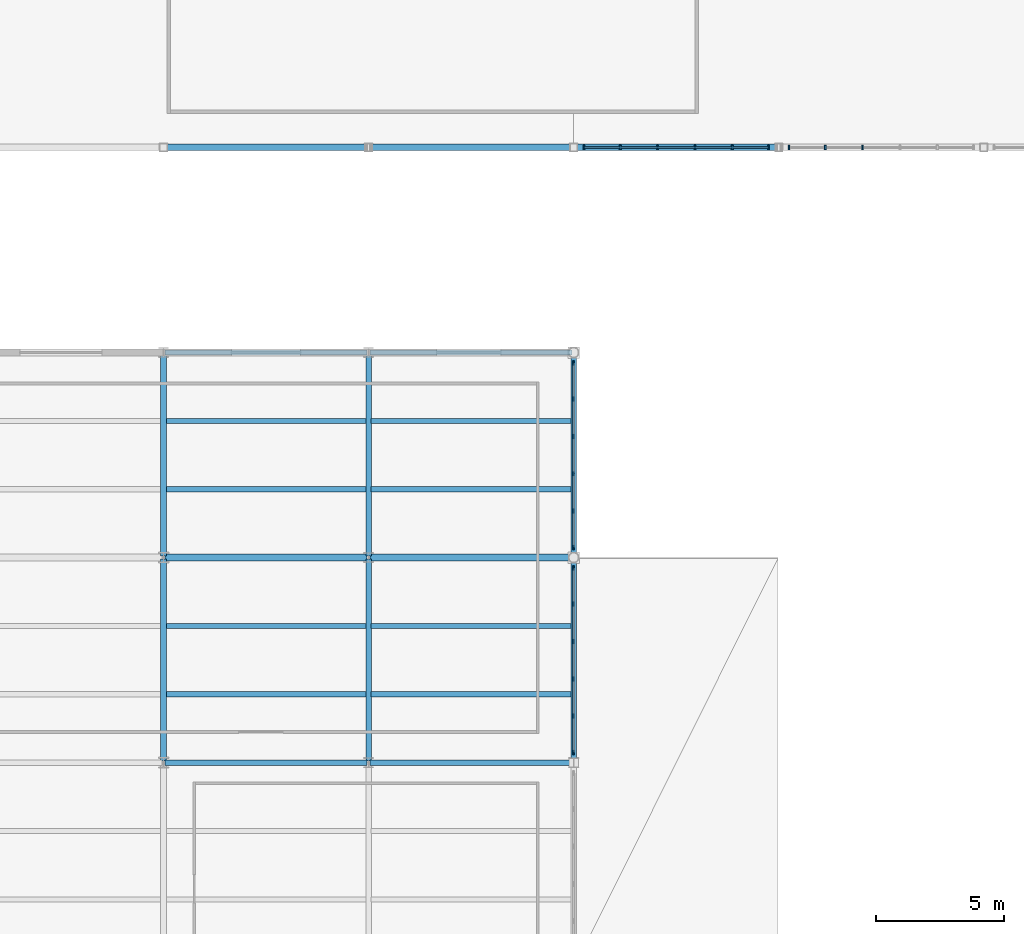
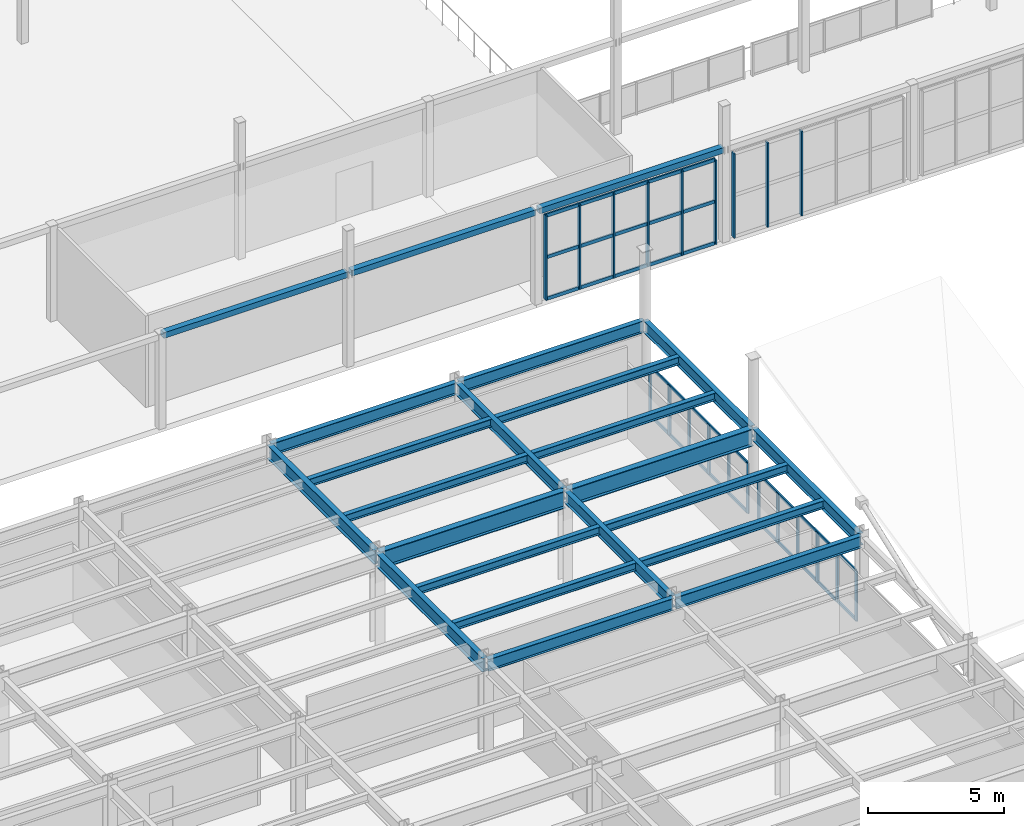
# One storey, part 20 of 83: 31 members, 20 beams, 4 elements without a shape of their own.
"""IFC4 building model written with IfcOpenShell, lengths in metres."""

from ifc_helpers import new_model, si_unit, direction, frame, origin, origin_2d, place, context, subcontext, project, spatial, rectangle, hollow_rectangle, i_section, extrude, material, material_profile, profile_set, type_object, element, aggregate, save


model = new_model("IFC4")

# Units and contexts
model_context = context("Model", 3, precision=1e-05, world=origin(), true_north=direction((0.0, 1.0)))
body_context = subcontext(model_context, "Body", "Model", "MODEL_VIEW")
ifc_project = project(units=[si_unit("LENGTHUNIT", "METRE"), si_unit("AREAUNIT", "SQUARE_METRE"), si_unit("VOLUMEUNIT", "CUBIC_METRE"), si_unit("PLANEANGLEUNIT", "RADIAN"), si_unit("MASSUNIT", "GRAM", prefix="KILO")], contexts=[model_context])

# Site, building, storey
site_placement = place(None, origin())
site = spatial("IfcSite", under=ifc_project, at=site_placement, CompositionType="ELEMENT")
building_placement = place(site_placement, origin())
building = spatial("IfcBuilding", under=site, at=building_placement, Name="Drelvath Fold Interchange", CompositionType="ELEMENT")
storey_placement = place(building_placement, frame((0.0, 0.0, 11.199951171875)))
storey = spatial("IfcBuildingStorey", under=building, at=storey_placement, Name="L02", CompositionType="ELEMENT", Elevation=11.199951171875)

# Beams
ifc_material_1 = material(Name="Steel ASTM A992 Grade 50", Category="steel")
ifc_material_profile_1 = material_profile(ifc_material_1, i_section(OverallWidth=0.205078125, OverallDepth=0.35400390625, WebThickness=0.009521484375, FlangeThickness=0.016845703125, at=origin_2d()), Name="W14X53")
ifc_profile_set_1 = profile_set([ifc_material_profile_1], Name="Steel ASTM A992 Grade 50")
beam_type_1 = type_object("IfcBeamType", Name="BM-W14X53", PredefinedType="JOIST", material=ifc_profile_set_1)
for number, where, z_axis, x_axis, name in (
    (1, (36.113037109375, 37.6669921875, 3.943115234375), (1.0, 0.0, 0.0), (0.0, 1.0, 0.0), "L02 Secondary floor joist BM-W14X53"),
    (2, (36.113037109375, 40.3330078125, 3.943115234375), (1.0, 0.0, 0.0), (0.0, 1.0, 0.0), "L02 Secondary floor joist BM-W14X53"),
    (3, (36.113037109375, 45.6669921875, 3.943115234375), (1.0, 0.0, 0.0), (0.0, 1.0, 0.0), "L02 Secondary floor joist BM-W14X53"),
    (4, (36.113037109375, 48.3330078125, 3.943115234375), (1.0, 0.0, 0.0), (0.0, 1.0, 0.0), "L02 Secondary floor joist BM-W14X53"),
):
    element("IfcBeam", number, at=place(storey_placement, frame(where, z_axis=z_axis, x_axis=x_axis)), inside=storey, type_object=beam_type_1, Name=name, PredefinedType="JOIST", context=body_context, shape_type="SweptSolid", body=[
        extrude(i_section(OverallWidth=0.205078125, OverallDepth=0.35400390625, WebThickness=0.009521484375, FlangeThickness=0.016845703125, at=origin_2d()), origin(), (0.0, 0.0, 1.0), 7.783935546875),
    ])
for number, where, z_axis, x_axis, name in (
    (5, (44.10302734375, 37.6669921875, 3.943115234375), (1.0, 0.0, 0.0), (0.0, 1.0, 0.0), "L02 Secondary floor joist BM-W14X53"),
    (6, (44.10302734375, 40.3330078125, 3.943115234375), (1.0, 0.0, 0.0), (0.0, 1.0, 0.0), "L02 Secondary floor joist BM-W14X53"),
    (7, (44.10302734375, 45.6669921875, 3.943115234375), (1.0, 0.0, 0.0), (0.0, 1.0, 0.0), "L02 Secondary floor joist BM-W14X53"),
    (8, (44.10302734375, 48.3330078125, 3.943115234375), (1.0, 0.0, 0.0), (0.0, 1.0, 0.0), "L02 Secondary floor joist BM-W14X53"),
):
    element("IfcBeam", number, at=place(storey_placement, frame(where, z_axis=z_axis, x_axis=x_axis)), inside=storey, type_object=beam_type_1, Name=name, PredefinedType="JOIST", context=body_context, shape_type="SweptSolid", body=[
        extrude(i_section(OverallWidth=0.205078125, OverallDepth=0.35400390625, WebThickness=0.009521484375, FlangeThickness=0.016845703125, at=origin_2d()), origin(), (0.0, 0.0, 1.0), 7.7939453125),
    ])
ifc_material_profile_2 = material_profile(ifc_material_1, i_section(OverallWidth=0.2099609375, OverallDepth=0.537109375, WebThickness=0.010986328125, FlangeThickness=0.017333984375, at=origin_2d()), Name="W21X68")
ifc_profile_set_2 = profile_set([ifc_material_profile_2], Name="Steel ASTM A992 Grade 50")
beam_type_2 = type_object("IfcBeamType", Name="BM-W21X68", PredefinedType="SPANDREL", material=ifc_profile_set_2)
for number, where, z_axis, x_axis, name in (
    (9, (36.06005859375, 35.0, 3.85205078125), (1.0, 0.0, 0.0), (0.0, 1.0, 0.0), "L02 Primary X girder BM-W21X68"),
    (10, (44.06005859375, 35.0, 3.85205078125), (1.0, 0.0, 0.0), (0.0, 1.0, 0.0), "L02 Primary X girder BM-W21X68"),
    (11, (36.06005859375, 51.0, 3.85205078125), (1.0, 0.0, 0.0), (0.0, 1.0, 0.0), "L02 Primary X girder BM-W21X68"),
    (12, (44.06005859375, 51.0, 3.85205078125), (1.0, 0.0, 0.0), (0.0, 1.0, 0.0), "L02 Primary X girder BM-W21X68"),
    (13, (44.0, 35.06005859375, 3.85205078125), (0.0, 1.0, 0.0), (-1.0, 0.0, 0.0), "L02 Primary Y girder BM-W21X68"),
    (14, (44.0, 43.06005859375, 3.85205078125), (0.0, 1.0, 0.0), (-1.0, 0.0, 0.0), "L02 Primary Y girder BM-W21X68"),
    (15, (52.0, 35.06005859375, 3.85205078125), (0.0, 1.0, 0.0), (-1.0, 0.0, 0.0), "L02 Primary Y girder BM-W21X68"),
    (16, (52.0, 43.06005859375, 3.85205078125), (0.0, 1.0, 0.0), (-1.0, 0.0, 0.0), "L02 Primary Y girder BM-W21X68"),
):
    element("IfcBeam", number, at=place(storey_placement, frame(where, z_axis=z_axis, x_axis=x_axis)), inside=storey, type_object=beam_type_2, Name=name, PredefinedType="SPANDREL", context=body_context, shape_type="SweptSolid", body=[
        extrude(i_section(OverallWidth=0.2099609375, OverallDepth=0.537109375, WebThickness=0.010986328125, FlangeThickness=0.017333984375, at=origin_2d()), origin(), (0.0, 0.0, 1.0), 7.8798828125),
    ])
ifc_material_profile_3 = material_profile(ifc_material_1, i_section(OverallWidth=0.22998046875, OverallDepth=0.616943359375, WebThickness=0.01318359375, FlangeThickness=0.022216796875, at=origin_2d()), Name="W24X94")
ifc_profile_set_3 = profile_set([ifc_material_profile_3], Name="Steel ASTM A992 Grade 50")
beam_type_3 = type_object("IfcBeamType", Name="BM-W24X94", PredefinedType="BEAM", material=ifc_profile_set_3)
for number, where, z_axis, x_axis, name in (
    (17, (36.0, 35.06005859375, 3.81103515625), (0.0, 1.0, 0.0), (-1.0, 0.0, 0.0), "L02 Primary Y girder BM-W24X94"),
    (18, (36.0, 43.06005859375, 3.81103515625), (0.0, 1.0, 0.0), (-1.0, 0.0, 0.0), "L02 Primary Y girder BM-W24X94"),
):
    element("IfcBeam", number, at=place(storey_placement, frame(where, z_axis=z_axis, x_axis=x_axis)), inside=storey, type_object=beam_type_3, Name=name, PredefinedType="BEAM", context=body_context, shape_type="SweptSolid", body=[
        extrude(i_section(OverallWidth=0.22998046875, OverallDepth=0.616943359375, WebThickness=0.01318359375, FlangeThickness=0.022216796875, at=origin_2d()), origin(), (0.0, 0.0, 1.0), 7.8798828125),
    ])
ifc_material_profile_4 = material_profile(ifc_material_1, i_section(OverallWidth=0.26611328125, OverallDepth=0.779052734375, WebThickness=0.0166015625, FlangeThickness=0.030029296875, at=origin_2d()), Name="W30X148")
ifc_profile_set_4 = profile_set([ifc_material_profile_4], Name="Steel ASTM A992 Grade 50")
beam_type_4 = type_object("IfcBeamType", Name="BM-W30X148", PredefinedType="BEAM", material=ifc_profile_set_4)
for number, where, z_axis, x_axis, name in (
    (19, (36.06005859375, 43.0, 3.73095703125), (1.0, 0.0, 0.0), (0.0, 1.0, 0.0), "L02 Primary X girder BM-W30X148"),
    (20, (44.06005859375, 43.0, 3.73095703125), (1.0, 0.0, 0.0), (0.0, 1.0, 0.0), "L02 Primary X girder BM-W30X148"),
):
    element("IfcBeam", number, at=place(storey_placement, frame(where, z_axis=z_axis, x_axis=x_axis)), inside=storey, type_object=beam_type_4, Name=name, PredefinedType="BEAM", context=body_context, shape_type="SweptSolid", body=[
        extrude(i_section(OverallWidth=0.26611328125, OverallDepth=0.779052734375, WebThickness=0.0166015625, FlangeThickness=0.030029296875, at=origin_2d()), origin(), (0.0, 0.0, 1.0), 7.8798828125),
    ])

# Members
ifc_material_2 = material(Name="Steel ASTM A500 Grade C", Category="steel")
ifc_material_profile_5 = material_profile(ifc_material_2, hollow_rectangle(XDim=0.25390625, YDim=0.25390625, WallThickness=0.01171875, at=origin_2d()), Name="HSS10X10X1/2")
ifc_profile_set_5 = profile_set([ifc_material_profile_5], Name="Steel ASTM A500 Grade C")
member_type_1 = type_object("IfcMemberType", Name="FP-CHD254", PredefinedType="CHORD", material=ifc_profile_set_5)
for number, where, z_axis, x_axis, name in (
    (21, (36.080078125, 59.0, 4.150146484375), (1.0, 0.0, 0.0), (0.0, 1.0, 0.0), "L02 Folded-plate roof truss tie chord FP-CHD254"),
    (22, (44.080078125, 59.0, 4.150146484375), (1.0, 0.0, 0.0), (0.0, 1.0, 0.0), "L02 Folded-plate roof truss tie chord FP-CHD254"),
    (23, (52.080078125, 59.0, 4.150146484375), (1.0, 0.0, 0.0), (0.0, 1.0, 0.0), "L02 Folded-plate roof truss tie chord FP-CHD254"),
):
    element("IfcMember", number, at=place(storey_placement, frame(where, z_axis=z_axis, x_axis=x_axis)), inside=storey, type_object=member_type_1, Name=name, PredefinedType="CHORD", context=body_context, shape_type="SweptSolid", body=[
        extrude(hollow_rectangle(XDim=0.25390625, YDim=0.25390625, WallThickness=0.01171875, at=origin_2d()), origin(), (0.0, 0.0, 1.0), 7.83984375),
    ])

# Curtain wall, members
ifc_material_3 = material(Name="Anodized Aluminium 6063-T6", Category="aluminium")
curtain_wall_type_1 = type_object("IfcCurtainWallType", Name="CW-OPS-UPP", PredefinedType="USERDEFINED", material=ifc_material_3)
curtain_wall_1_placement = place(storey_placement, origin())
curtain_wall_1 = element("IfcCurtainWall", 24, at=curtain_wall_1_placement, inside=storey, type_object=curtain_wall_type_1, Name="Curtain wall CW-V5-L02-E35", ObjectType="UNITISED CURTAIN WALL", PredefinedType="USERDEFINED")
ifc_material_profile_6 = material_profile(ifc_material_3, rectangle(XDim=0.06005859375, YDim=0.175048828125, at=origin_2d()), Name="AL-M 60x175")
ifc_profile_set_6 = profile_set([ifc_material_profile_6], Name="Anodized Aluminium 6063-T6")
member_type_2 = type_object("IfcMemberType", Name="ML-175", PredefinedType="MULLION", material=ifc_profile_set_6)
member_1_placement = place(storey_placement, frame((52.0, 35.39990234375, 0.0), z_axis=(0.0, 0.0, 1.0), x_axis=(1.0, 0.0, 0.0)))
member_1 = element("IfcMember", 25, at=member_1_placement, type_object=member_type_2, Name="CW-V5-L02-E35 mullion 0", PredefinedType="MULLION", context=body_context, shape_type="SweptSolid", body=[
    extrude(rectangle(XDim=0.06005859375, YDim=0.175048828125, at=origin_2d()), origin(), (0.0, 0.0, 1.0), 2.25),
])
member_2_placement = place(storey_placement, frame((52.0, 36.81591796875, 0.0), z_axis=(0.0, 0.0, 1.0), x_axis=(1.0, 0.0, 0.0)))
member_2 = element("IfcMember", 26, at=member_2_placement, type_object=member_type_2, Name="CW-V5-L02-E35 mullion 1", PredefinedType="MULLION", context=body_context, shape_type="SweptSolid", body=[
    extrude(rectangle(XDim=0.06005859375, YDim=0.175048828125, at=origin_2d()), origin(), (0.0, 0.0, 1.0), 2.25),
])
member_3_placement = place(storey_placement, frame((52.0, 38.27197265625, 0.0), z_axis=(0.0, 0.0, 1.0), x_axis=(1.0, 0.0, 0.0)))
member_3 = element("IfcMember", 27, at=member_3_placement, type_object=member_type_2, Name="CW-V5-L02-E35 mullion 2", PredefinedType="MULLION", context=body_context, shape_type="SweptSolid", body=[
    extrude(rectangle(XDim=0.06005859375, YDim=0.175048828125, at=origin_2d()), origin(), (0.0, 0.0, 1.0), 2.25),
])
member_4_placement = place(storey_placement, frame((52.0, 39.72802734375, 0.0), z_axis=(0.0, 0.0, 1.0), x_axis=(1.0, 0.0, 0.0)))
member_4 = element("IfcMember", 28, at=member_4_placement, type_object=member_type_2, Name="CW-V5-L02-E35 mullion 3", PredefinedType="MULLION", context=body_context, shape_type="SweptSolid", body=[
    extrude(rectangle(XDim=0.06005859375, YDim=0.175048828125, at=origin_2d()), origin(), (0.0, 0.0, 1.0), 2.25),
])
member_5_placement = place(storey_placement, frame((52.0, 41.18408203125, 0.0), z_axis=(0.0, 0.0, 1.0), x_axis=(1.0, 0.0, 0.0)))
member_5 = element("IfcMember", 29, at=member_5_placement, type_object=member_type_2, Name="CW-V5-L02-E35 mullion 4", PredefinedType="MULLION", context=body_context, shape_type="SweptSolid", body=[
    extrude(rectangle(XDim=0.06005859375, YDim=0.175048828125, at=origin_2d()), origin(), (0.0, 0.0, 1.0), 2.25),
])
member_6_placement = place(storey_placement, frame((52.0, 42.60009765625, 0.0), z_axis=(0.0, 0.0, 1.0), x_axis=(1.0, 0.0, 0.0)))
member_6 = element("IfcMember", 30, at=member_6_placement, type_object=member_type_2, Name="CW-V5-L02-E35 mullion 5", PredefinedType="MULLION", context=body_context, shape_type="SweptSolid", body=[
    extrude(rectangle(XDim=0.06005859375, YDim=0.175048828125, at=origin_2d()), origin(), (0.0, 0.0, 1.0), 2.25),
])

curtain_wall_2_placement = place(storey_placement, origin())
curtain_wall_2 = element("IfcCurtainWall", 31, at=curtain_wall_2_placement, inside=storey, type_object=curtain_wall_type_1, Name="Curtain wall CW-V5-L02-E43", ObjectType="UNITISED CURTAIN WALL", PredefinedType="USERDEFINED")
member_7_placement = place(storey_placement, frame((52.0, 43.39990234375, 0.0), z_axis=(0.0, 0.0, 1.0), x_axis=(1.0, 0.0, 0.0)))
member_7 = element("IfcMember", 32, at=member_7_placement, type_object=member_type_2, Name="CW-V5-L02-E43 mullion 0", PredefinedType="MULLION", context=body_context, shape_type="SweptSolid", body=[
    extrude(rectangle(XDim=0.06005859375, YDim=0.175048828125, at=origin_2d()), origin(), (0.0, 0.0, 1.0), 2.25),
])
member_8_placement = place(storey_placement, frame((52.0, 44.81591796875, 0.0), z_axis=(0.0, 0.0, 1.0), x_axis=(1.0, 0.0, 0.0)))
member_8 = element("IfcMember", 33, at=member_8_placement, type_object=member_type_2, Name="CW-V5-L02-E43 mullion 1", PredefinedType="MULLION", context=body_context, shape_type="SweptSolid", body=[
    extrude(rectangle(XDim=0.06005859375, YDim=0.175048828125, at=origin_2d()), origin(), (0.0, 0.0, 1.0), 2.25),
])
member_9_placement = place(storey_placement, frame((52.0, 46.27197265625, 0.0), z_axis=(0.0, 0.0, 1.0), x_axis=(1.0, 0.0, 0.0)))
member_9 = element("IfcMember", 34, at=member_9_placement, type_object=member_type_2, Name="CW-V5-L02-E43 mullion 2", PredefinedType="MULLION", context=body_context, shape_type="SweptSolid", body=[
    extrude(rectangle(XDim=0.06005859375, YDim=0.175048828125, at=origin_2d()), origin(), (0.0, 0.0, 1.0), 2.25),
])
member_10_placement = place(storey_placement, frame((52.0, 47.72802734375, 0.0), z_axis=(0.0, 0.0, 1.0), x_axis=(1.0, 0.0, 0.0)))
member_10 = element("IfcMember", 35, at=member_10_placement, type_object=member_type_2, Name="CW-V5-L02-E43 mullion 3", PredefinedType="MULLION", context=body_context, shape_type="SweptSolid", body=[
    extrude(rectangle(XDim=0.06005859375, YDim=0.175048828125, at=origin_2d()), origin(), (0.0, 0.0, 1.0), 2.25),
])
member_11_placement = place(storey_placement, frame((52.0, 49.18408203125, 0.0), z_axis=(0.0, 0.0, 1.0), x_axis=(1.0, 0.0, 0.0)))
member_11 = element("IfcMember", 36, at=member_11_placement, type_object=member_type_2, Name="CW-V5-L02-E43 mullion 4", PredefinedType="MULLION", context=body_context, shape_type="SweptSolid", body=[
    extrude(rectangle(XDim=0.06005859375, YDim=0.175048828125, at=origin_2d()), origin(), (0.0, 0.0, 1.0), 2.25),
])
member_12_placement = place(storey_placement, frame((52.0, 50.60009765625, 0.0), z_axis=(0.0, 0.0, 1.0), x_axis=(1.0, 0.0, 0.0)))
member_12 = element("IfcMember", 37, at=member_12_placement, type_object=member_type_2, Name="CW-V5-L02-E43 mullion 5", PredefinedType="MULLION", context=body_context, shape_type="SweptSolid", body=[
    extrude(rectangle(XDim=0.06005859375, YDim=0.175048828125, at=origin_2d()), origin(), (0.0, 0.0, 1.0), 2.25),
])

curtain_wall_type_2 = type_object("IfcCurtainWallType", Name="CW-CON-440", PredefinedType="USERDEFINED", material=ifc_material_3)
curtain_wall_3_placement = place(storey_placement, origin())
curtain_wall_3 = element("IfcCurtainWall", 38, at=curtain_wall_3_placement, inside=storey, type_object=curtain_wall_type_2, Name="Curtain wall CW-V1S-L02-X52", ObjectType="UNITISED CURTAIN WALL", PredefinedType="USERDEFINED")
ifc_material_profile_7 = material_profile(ifc_material_3, rectangle(XDim=0.06494140625, YDim=0.18994140625, at=origin_2d()), Name="AL-M 65x190")
ifc_profile_set_7 = profile_set([ifc_material_profile_7], Name="Anodized Aluminium 6063-T6")
member_type_3 = type_object("IfcMemberType", Name="ML-190", PredefinedType="MULLION", material=ifc_profile_set_7)
member_13_placement = place(storey_placement, frame((52.39990234375, 59.0, 0.0), z_axis=(0.0, 0.0, 1.0), x_axis=(1.0, 0.0, 0.0)))
member_13 = element("IfcMember", 39, at=member_13_placement, type_object=member_type_3, Name="CW-V1S-L02-X52 mullion 0", PredefinedType="MULLION", context=body_context, shape_type="SweptSolid", body=[
    extrude(rectangle(XDim=0.06494140625, YDim=0.18994140625, at=origin_2d()), origin(), (0.0, 0.0, 1.0), 3.800048828125),
])
member_14_placement = place(storey_placement, frame((53.81591796875, 59.0, 0.0), z_axis=(0.0, 0.0, 1.0), x_axis=(1.0, 0.0, 0.0)))
member_14 = element("IfcMember", 40, at=member_14_placement, type_object=member_type_3, Name="CW-V1S-L02-X52 mullion 1", PredefinedType="MULLION", context=body_context, shape_type="SweptSolid", body=[
    extrude(rectangle(XDim=0.06494140625, YDim=0.18994140625, at=origin_2d()), origin(), (0.0, 0.0, 1.0), 3.800048828125),
])
member_15_placement = place(storey_placement, frame((55.27197265625, 59.0, 0.0), z_axis=(0.0, 0.0, 1.0), x_axis=(1.0, 0.0, 0.0)))
member_15 = element("IfcMember", 41, at=member_15_placement, type_object=member_type_3, Name="CW-V1S-L02-X52 mullion 2", PredefinedType="MULLION", context=body_context, shape_type="SweptSolid", body=[
    extrude(rectangle(XDim=0.06494140625, YDim=0.18994140625, at=origin_2d()), origin(), (0.0, 0.0, 1.0), 3.800048828125),
])
member_16_placement = place(storey_placement, frame((56.72802734375, 59.0, 0.0), z_axis=(0.0, 0.0, 1.0), x_axis=(1.0, 0.0, 0.0)))
member_16 = element("IfcMember", 42, at=member_16_placement, type_object=member_type_3, Name="CW-V1S-L02-X52 mullion 3", PredefinedType="MULLION", context=body_context, shape_type="SweptSolid", body=[
    extrude(rectangle(XDim=0.06494140625, YDim=0.18994140625, at=origin_2d()), origin(), (0.0, 0.0, 1.0), 3.800048828125),
])
member_17_placement = place(storey_placement, frame((58.18408203125, 59.0, 0.0), z_axis=(0.0, 0.0, 1.0), x_axis=(1.0, 0.0, 0.0)))
member_17 = element("IfcMember", 43, at=member_17_placement, type_object=member_type_3, Name="CW-V1S-L02-X52 mullion 4", PredefinedType="MULLION", context=body_context, shape_type="SweptSolid", body=[
    extrude(rectangle(XDim=0.06494140625, YDim=0.18994140625, at=origin_2d()), origin(), (0.0, 0.0, 1.0), 3.800048828125),
])
member_18_placement = place(storey_placement, frame((59.60009765625, 59.0, 0.0), z_axis=(0.0, 0.0, 1.0), x_axis=(1.0, 0.0, 0.0)))
member_18 = element("IfcMember", 44, at=member_18_placement, type_object=member_type_3, Name="CW-V1S-L02-X52 mullion 5", PredefinedType="MULLION", context=body_context, shape_type="SweptSolid", body=[
    extrude(rectangle(XDim=0.06494140625, YDim=0.18994140625, at=origin_2d()), origin(), (0.0, 0.0, 1.0), 3.800048828125),
])

curtain_wall_4_placement = place(storey_placement, origin())
curtain_wall_4 = element("IfcCurtainWall", 45, at=curtain_wall_4_placement, inside=storey, type_object=curtain_wall_type_2, Name="Curtain wall CW-V1S-L02-X60", ObjectType="UNITISED CURTAIN WALL", PredefinedType="USERDEFINED")
member_19_placement = place(storey_placement, frame((60.39990234375, 59.0, 0.0), z_axis=(0.0, 0.0, 1.0), x_axis=(1.0, 0.0, 0.0)))
member_19 = element("IfcMember", 46, at=member_19_placement, type_object=member_type_3, Name="CW-V1S-L02-X60 mullion 0", PredefinedType="MULLION", context=body_context, shape_type="SweptSolid", body=[
    extrude(rectangle(XDim=0.06494140625, YDim=0.18994140625, at=origin_2d()), origin(), (0.0, 0.0, 1.0), 3.800048828125),
])
member_20_placement = place(storey_placement, frame((61.81591796875, 59.0, 0.0), z_axis=(0.0, 0.0, 1.0), x_axis=(1.0, 0.0, 0.0)))
member_20 = element("IfcMember", 47, at=member_20_placement, type_object=member_type_3, Name="CW-V1S-L02-X60 mullion 1", PredefinedType="MULLION", context=body_context, shape_type="SweptSolid", body=[
    extrude(rectangle(XDim=0.06494140625, YDim=0.18994140625, at=origin_2d()), origin(), (0.0, 0.0, 1.0), 3.800048828125),
])
member_21_placement = place(storey_placement, frame((63.27197265625, 59.0, 0.0), z_axis=(0.0, 0.0, 1.0), x_axis=(1.0, 0.0, 0.0)))
member_21 = element("IfcMember", 48, at=member_21_placement, type_object=member_type_3, Name="CW-V1S-L02-X60 mullion 2", PredefinedType="MULLION", context=body_context, shape_type="SweptSolid", body=[
    extrude(rectangle(XDim=0.06494140625, YDim=0.18994140625, at=origin_2d()), origin(), (0.0, 0.0, 1.0), 3.800048828125),
])
aggregate(curtain_wall_4, [member_19, member_20, member_21])

# Member
ifc_material_profile_8 = material_profile(ifc_material_3, rectangle(XDim=0.06005859375, YDim=0.139892578125, at=origin_2d()), Name="AL-T 60x140")
ifc_profile_set_8 = profile_set([ifc_material_profile_8], Name="Anodized Aluminium 6063-T6")
member_type_4 = type_object("IfcMemberType", Name="TR-140", PredefinedType="USERDEFINED", material=ifc_profile_set_8)
member_22_placement = place(storey_placement, frame((52.0, 35.39990234375, 0.030029296875), z_axis=(0.0, 1.0, 0.0), x_axis=(-1.0, 0.0, 0.0)))
member_22 = element("IfcMember", 49, at=member_22_placement, type_object=member_type_4, Name="CW-V5-L02-E35 transom 0", ObjectType="TRANSOM", PredefinedType="USERDEFINED", context=body_context, shape_type="SweptSolid", body=[
    extrude(rectangle(XDim=0.06005859375, YDim=0.139892578125, at=origin_2d()), origin(), (0.0, 0.0, 1.0), 7.2001953125),
])

member_23_placement = place(storey_placement, frame((52.0, 35.39990234375, 2.219970703125), z_axis=(0.0, 1.0, 0.0), x_axis=(-1.0, 0.0, 0.0)))
member_23 = element("IfcMember", 50, at=member_23_placement, type_object=member_type_4, Name="CW-V5-L02-E35 transom 1", ObjectType="TRANSOM", PredefinedType="USERDEFINED", context=body_context, shape_type="SweptSolid", body=[
    extrude(rectangle(XDim=0.06005859375, YDim=0.139892578125, at=origin_2d()), origin(), (0.0, 0.0, 1.0), 7.2001953125),
])

aggregate(curtain_wall_1, [member_1, member_2, member_3, member_4, member_5, member_6, member_22, member_23])

member_24_placement = place(storey_placement, frame((52.0, 43.39990234375, 0.030029296875), z_axis=(0.0, 1.0, 0.0), x_axis=(-1.0, 0.0, 0.0)))
member_24 = element("IfcMember", 51, at=member_24_placement, type_object=member_type_4, Name="CW-V5-L02-E43 transom 0", ObjectType="TRANSOM", PredefinedType="USERDEFINED", context=body_context, shape_type="SweptSolid", body=[
    extrude(rectangle(XDim=0.06005859375, YDim=0.139892578125, at=origin_2d()), origin(), (0.0, 0.0, 1.0), 7.2001953125),
])

member_25_placement = place(storey_placement, frame((52.0, 43.39990234375, 2.219970703125), z_axis=(0.0, 1.0, 0.0), x_axis=(-1.0, 0.0, 0.0)))
member_25 = element("IfcMember", 52, at=member_25_placement, type_object=member_type_4, Name="CW-V5-L02-E43 transom 1", ObjectType="TRANSOM", PredefinedType="USERDEFINED", context=body_context, shape_type="SweptSolid", body=[
    extrude(rectangle(XDim=0.06005859375, YDim=0.139892578125, at=origin_2d()), origin(), (0.0, 0.0, 1.0), 7.2001953125),
])

aggregate(curtain_wall_2, [member_7, member_8, member_9, member_10, member_11, member_12, member_24, member_25])

ifc_material_profile_9 = material_profile(ifc_material_3, rectangle(XDim=0.06494140625, YDim=0.155029296875, at=origin_2d()), Name="AL-T 65x155")
ifc_profile_set_9 = profile_set([ifc_material_profile_9], Name="Anodized Aluminium 6063-T6")
member_type_5 = type_object("IfcMemberType", Name="TR-155", PredefinedType="USERDEFINED", material=ifc_profile_set_9)
member_26_placement = place(storey_placement, frame((52.39990234375, 59.0, 0.030029296875), z_axis=(1.0, 0.0, 0.0), x_axis=(0.0, 1.0, 0.0)))
member_26 = element("IfcMember", 53, at=member_26_placement, type_object=member_type_5, Name="CW-V1S-L02-X52 transom 0", ObjectType="TRANSOM", PredefinedType="USERDEFINED", context=body_context, shape_type="SweptSolid", body=[
    extrude(rectangle(XDim=0.06494140625, YDim=0.155029296875, at=origin_2d()), origin(), (0.0, 0.0, 1.0), 7.2001953125),
])

member_27_placement = place(storey_placement, frame((52.39990234375, 59.0, 1.900146484375), z_axis=(1.0, 0.0, 0.0), x_axis=(0.0, 1.0, 0.0)))
member_27 = element("IfcMember", 54, at=member_27_placement, type_object=member_type_5, Name="CW-V1S-L02-X52 transom 1", ObjectType="TRANSOM", PredefinedType="USERDEFINED", context=body_context, shape_type="SweptSolid", body=[
    extrude(rectangle(XDim=0.06494140625, YDim=0.155029296875, at=origin_2d()), origin(), (0.0, 0.0, 1.0), 7.2001953125),
])

member_28_placement = place(storey_placement, frame((52.39990234375, 59.0, 3.77001953125), z_axis=(1.0, 0.0, 0.0), x_axis=(0.0, 1.0, 0.0)))
member_28 = element("IfcMember", 55, at=member_28_placement, type_object=member_type_5, Name="CW-V1S-L02-X52 transom 2", ObjectType="TRANSOM", PredefinedType="USERDEFINED", context=body_context, shape_type="SweptSolid", body=[
    extrude(rectangle(XDim=0.06494140625, YDim=0.155029296875, at=origin_2d()), origin(), (0.0, 0.0, 1.0), 7.2001953125),
])

aggregate(curtain_wall_3, [member_13, member_14, member_15, member_16, member_17, member_18, member_26, member_27, member_28])

save(model, "model.ifc")
